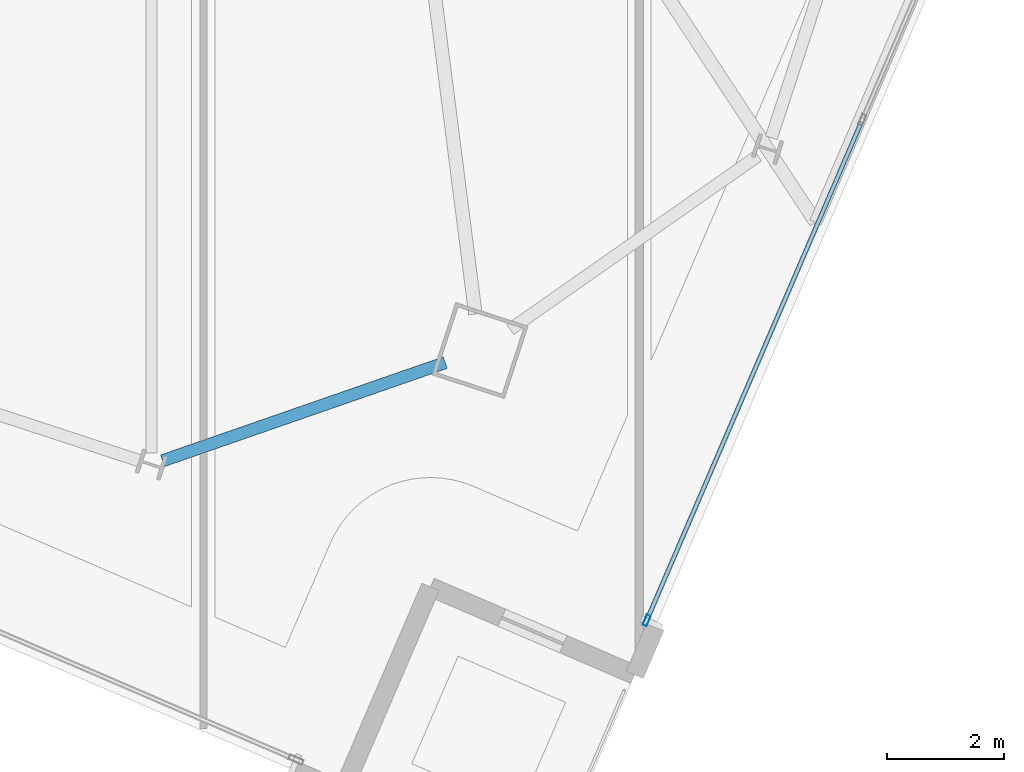
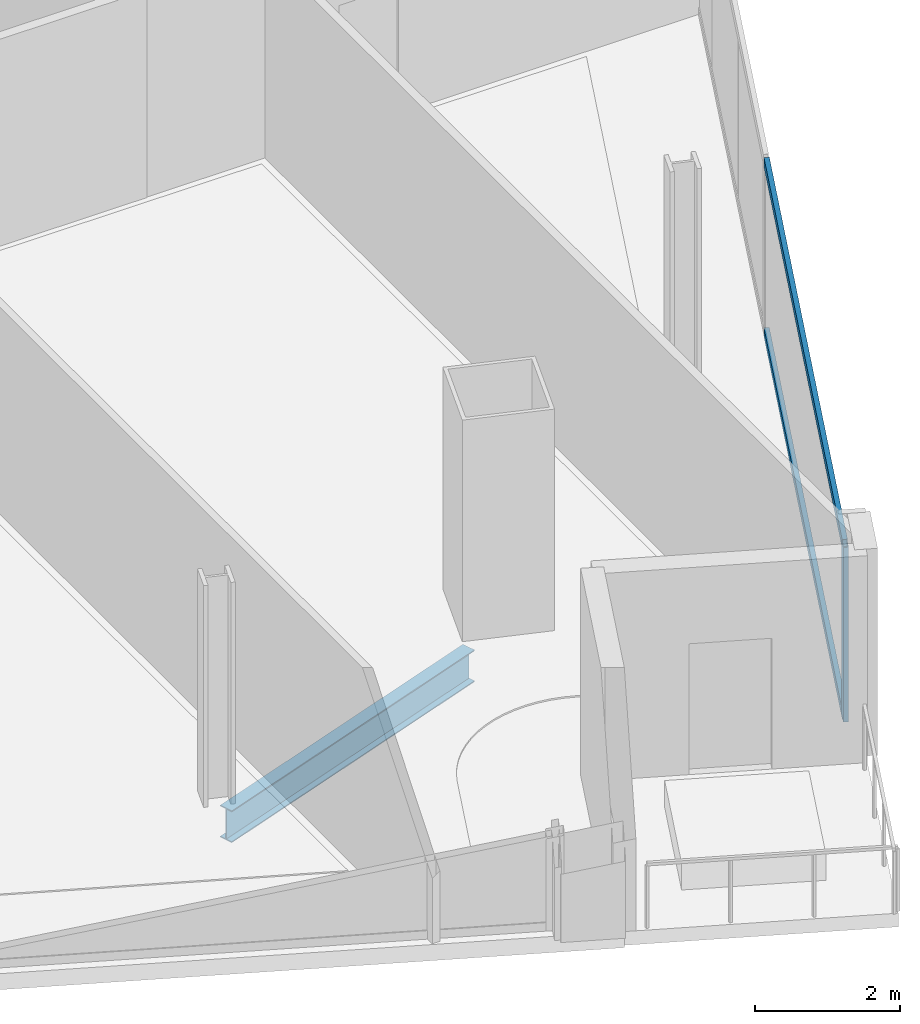
# One storey, part 8 of 28: 3 members, 1 beam, 1 element without a shape of its own.
"""IFC4 building model written with IfcOpenShell, lengths in metres."""

import ifcopenshell
import ifcopenshell.guid

model = None  # the IFC model being written
_history = None  # IfcOwnerHistory: only IFC2X3 demands one
_inside = {}  # id of a spatial element -> (the spatial element, [elements in it])
_under = {}  # id of a project, library or spatial element -> (it, [spatial elements below it])
_declared = {}  # id of a project -> (the project, [libraries it declares])
_typed = {}  # id of a type object -> (the type object, [elements of that type])
_made_of = {}  # id of a material, layer set ... -> (it, [elements and type objects made of it])


def new_model(schema):
    """Start an empty IFC model of exactly this schema.

    Asked for "IFC4X3", IfcOpenShell would pick the latest addendum, in which some entities
    have other attributes; the version numbers below select the first issue.
    IFC2X3 requires an IfcOwnerHistory on every rooted entity: one is made here for all.
    """
    global model, _history
    if schema == "IFC4X3":
        model = ifcopenshell.file(schema_version=(4, 3, 0, 0))
    else:
        model = ifcopenshell.file(schema=schema)
    _inside.clear()
    _under.clear()
    _declared.clear()
    _typed.clear()
    _made_of.clear()
    _history = None
    if model.schema == "IFC2X3":
        org = make("IfcOrganization", Name="unknown")
        user = make(
            "IfcPersonAndOrganization",
            ThePerson=make("IfcPerson", FamilyName="unknown"),
            TheOrganization=org,
        )
        app = make(
            "IfcApplication",
            ApplicationDeveloper=org,
            Version="unknown",
            ApplicationFullName="unknown",
            ApplicationIdentifier="unknown",
        )
        _history = make(
            "IfcOwnerHistory",
            OwningUser=user,
            OwningApplication=app,
            ChangeAction="ADDED",
            CreationDate=0,
        )
    return model


def make(cls, **values):
    """One entity of the class cls with the attributes given. An attribute that is None is left unset."""
    return model.create_entity(
        cls, **{name: value for name, value in values.items() if value is not None}
    )


def rooted(cls, **values):
    """An entity with a GlobalId (a new one), such as an element, a storey or a relation."""
    return make(cls, GlobalId=ifcopenshell.guid.new(), OwnerHistory=_history, **values)


def si_unit(unit_type, name, prefix=None):
    """IfcSIUnit, for example si_unit("LENGTHUNIT", "METRE", prefix="MILLI")."""
    return make("IfcSIUnit", UnitType=unit_type, Prefix=prefix, Name=name)


def assignment(units):
    """IfcUnitAssignment: the units of a project."""
    return None if units is None else make("IfcUnitAssignment", Units=units)


def point(xyz):
    """IfcCartesianPoint."""
    return None if xyz is None else make("IfcCartesianPoint", Coordinates=xyz)


def direction(xyz):
    """IfcDirection."""
    return None if xyz is None else make("IfcDirection", DirectionRatios=xyz)


def frame(location, z_axis=None, x_axis=None):
    """IfcAxis2Placement3D, a coordinate frame: its origin and axes. An axis left out is left unset."""
    return make(
        "IfcAxis2Placement3D",
        Location=point(location),
        Axis=direction(z_axis),
        RefDirection=direction(x_axis),
    )


def frame_2d(location, x_axis=None):
    """IfcAxis2Placement2D, a coordinate frame in the plane: its origin and x axis."""
    return make(
        "IfcAxis2Placement2D", Location=point(location), RefDirection=direction(x_axis)
    )


def origin():
    """The frame at (0, 0, 0) with its axes left unset."""
    return frame((0.0, 0.0, 0.0))


def origin_2d():
    """The frame at (0, 0) in the plane with its x axis left unset."""
    return frame_2d((0.0, 0.0))


def place(relative_to, where):
    """IfcLocalPlacement: puts the frame where relative to a parent placement (None: the world)."""
    return make(
        "IfcLocalPlacement", PlacementRelTo=relative_to, RelativePlacement=where
    )


def context(
    kind, dimensions, precision=None, world=None, true_north=None, identifier=None
):
    """IfcGeometricRepresentationContext, for example the 3D "Model" context."""
    return make(
        "IfcGeometricRepresentationContext",
        ContextIdentifier=identifier,
        ContextType=kind,
        CoordinateSpaceDimension=dimensions,
        Precision=precision,
        WorldCoordinateSystem=world,
        TrueNorth=true_north,
    )


def subcontext(parent, identifier, kind, view, scale=None):
    """IfcGeometricRepresentationSubContext, for example "Body" below "Model"."""
    return make(
        "IfcGeometricRepresentationSubContext",
        ContextIdentifier=identifier,
        ContextType=kind,
        ParentContext=parent,
        TargetScale=scale,
        TargetView=view,
    )


def project(units=None, contexts=None):
    """IfcProject with its units and contexts."""
    return rooted(
        "IfcProject",
        Name="project",
        RepresentationContexts=contexts,
        UnitsInContext=assignment(units),
    )


def spatial(cls, under=None, at=None, **own):
    """A site, building, storey or space (cls), placed at a placement, below another one or the project."""
    s = rooted(cls, ObjectPlacement=at, **own)
    if under is not None:
        _under.setdefault(under.id(), (under, []))[1].append(s)
    return s


def profile(cls, at=None, kind="AREA", **sizes):
    """A parametric profile (cls). Its sizes go by their IFC names, for example OverallWidth=200.0."""
    return make(cls, ProfileType=kind, Position=at, **sizes)


def hollow_rectangle(**sizes):
    """IfcRectangleHollowProfileDef."""
    return profile("IfcRectangleHollowProfileDef", **sizes)


def i_section(**sizes):
    """IfcIShapeProfileDef."""
    return profile("IfcIShapeProfileDef", **sizes)


def extrude(swept, where, along, depth):
    """IfcExtrudedAreaSolid: the profile swept, set in the frame where, extruded along a direction by depth."""
    return make(
        "IfcExtrudedAreaSolid",
        SweptArea=swept,
        Position=where,
        ExtrudedDirection=direction(along),
        Depth=depth,
    )


def shape(context_of_items, identifier, shape_type, items):
    """IfcShapeRepresentation: the items that make up one representation, for example the "Body"."""
    return make(
        "IfcShapeRepresentation",
        ContextOfItems=context_of_items,
        RepresentationIdentifier=identifier,
        RepresentationType=shape_type,
        Items=items,
    )


def material(Name=None, Category=None):
    """IfcMaterial."""
    return make("IfcMaterial", Name=Name, Category=Category)


def material_profile(
    of_material, cross_section, Name=None, Category=None, Priority=None
):
    """IfcMaterialProfile: a cross section and its material."""
    return make(
        "IfcMaterialProfile",
        Name=Name,
        Material=of_material,
        Profile=cross_section,
        Priority=Priority,
        Category=Category,
    )


def profile_set(profiles, Name=None, composite=None):
    """IfcMaterialProfileSet."""
    return make(
        "IfcMaterialProfileSet",
        Name=Name,
        MaterialProfiles=profiles,
        CompositeProfile=composite,
    )


def made_of(thing, what):
    """Note that an element or type object is made of a material, layer set ...; save() writes the relation."""
    if what is not None:
        _made_of.setdefault(what.id(), (what, []))[1].append(thing)
    return thing


def type_object(cls, material=None, **own):
    """A type object (cls), such as IfcWallType, which elements share."""
    return made_of(rooted(cls, **own), material)


def element(
    cls,
    number,
    at=None,
    inside=None,
    cuts=None,
    type_object=None,
    material=None,
    context=None,
    identifier="Body",
    shape_type=None,
    held_by="IfcProductDefinitionShape",
    body=None,
    shapes=None,
    **own,
):
    """One element of the class cls, such as IfcWall. Its Tag is "e" and its number.

    at: its placement. inside: the storey or other place that contains it. cuts: it is an
    opening in that element (IfcRelVoidsElement). A single representation is given by context,
    identifier, shape_type and body (its items); several are given by shapes. held_by: the class
    of the entity that holds the representations. save() writes the other relations.
    """
    e = rooted(cls, Tag="e%d" % number, ObjectPlacement=at, **own)
    if body is not None:
        shapes = [shape(context, identifier, shape_type, body)]
    if shapes is not None:
        e.Representation = make(held_by, Representations=shapes)
    if inside is not None:
        _inside.setdefault(inside.id(), (inside, []))[1].append(e)
    if cuts is not None:
        rooted(
            "IfcRelVoidsElement", RelatingBuildingElement=cuts, RelatedOpeningElement=e
        )
    if type_object is not None:
        _typed.setdefault(type_object.id(), (type_object, []))[1].append(e)
    return made_of(e, material)


def aggregate(whole, parts):
    """IfcRelAggregates: a whole, such as a stair, and the parts it consists of."""
    return rooted("IfcRelAggregates", RelatingObject=whole, RelatedObjects=parts)


def save(model, path):
    """Write the relations noted so far, then the file.

    IfcRelAggregates (storeys below a building ...), IfcRelContainedInSpatialStructure (elements
    in a storey), IfcRelDefinesByType, IfcRelAssociatesMaterial and IfcRelDeclares: one each for
    every whole, place, type object, material and project.
    """
    for whole, parts in _under.values():
        aggregate(whole, parts)
    for where, things in _inside.values():
        rooted(
            "IfcRelContainedInSpatialStructure",
            RelatedElements=things,
            RelatingStructure=where,
        )
    for kind, things in _typed.values():
        rooted("IfcRelDefinesByType", RelatedObjects=things, RelatingType=kind)
    for what, things in _made_of.values():
        rooted("IfcRelAssociatesMaterial", RelatedObjects=things, RelatingMaterial=what)
    for by, libraries in _declared.values():
        rooted("IfcRelDeclares", RelatingContext=by, RelatedDefinitions=libraries)
    model.write(path)


model = new_model("IFC4")

# Units and contexts
model_context = context("Model", 3, precision=1e-05, world=origin(), true_north=direction((0.0, 1.0)))
body_context = subcontext(model_context, "Body", "Model", "MODEL_VIEW")
ifc_project = project(units=[si_unit("LENGTHUNIT", "METRE"), si_unit("AREAUNIT", "SQUARE_METRE"), si_unit("VOLUMEUNIT", "CUBIC_METRE"), si_unit("PLANEANGLEUNIT", "RADIAN"), si_unit("MASSUNIT", "GRAM", prefix="KILO")], contexts=[model_context])

# Site, building, storey
site_placement = place(None, origin())
site = spatial("IfcSite", under=ifc_project, at=site_placement, CompositionType="ELEMENT")
building_placement = place(site_placement, origin())
building = spatial("IfcBuilding", under=site, at=building_placement, Name="Haldenkirk Collegiate Tower", CompositionType="ELEMENT")
storey_placement = place(building_placement, frame((0.0, 0.0, 252.449951171875)))
storey = spatial("IfcBuildingStorey", under=building, at=storey_placement, Name="L63", CompositionType="ELEMENT", Elevation=252.449951171875)

# Beam
ifc_material_1 = material(Name="Steel ASTM A992 Grade 50", Category="steel")
ifc_material_profile_1 = material_profile(ifc_material_1, i_section(OverallWidth=0.2099609375, OverallDepth=0.537109375, WebThickness=0.010986328125, FlangeThickness=0.017333984375, at=origin_2d()), Name="W21X68")
ifc_profile_set_1 = profile_set([ifc_material_profile_1], Name="Steel ASTM A992 Grade 50")
beam_type = type_object("IfcBeamType", Name="BM-SPANDREL-W21X68", PredefinedType="SPANDREL", material=ifc_profile_set_1)
beam_placement = place(storey_placement, frame((41.302490234375, 2.56103515625, -0.538330078125), z_axis=(0.944700169719, 0.327935343221, 0.0), x_axis=(-0.327935343221, 0.944700169719, 0.0)))
element("IfcBeam", 1, at=beam_placement, inside=storey, type_object=beam_type, Name="L63 perimeter spandrel beam 16", PredefinedType="SPANDREL", context=body_context, shape_type="SweptSolid", body=[
    extrude(i_section(OverallWidth=0.2099609375, OverallDepth=0.537109375, WebThickness=0.010986328125, FlangeThickness=0.017333984375, at=origin_2d()), origin(), (0.0, 0.0, 1.0), 5.113037109375),
])

# Curtain wall, members
ifc_material_2 = material(Name="Anodised architectural bronze aluminium", Category="aluminium")
curtain_wall_type = type_object("IfcCurtainWallType", Name="CW-SYS2-CONCAVE", PredefinedType="USERDEFINED", material=ifc_material_2)
curtain_wall_placement = place(storey_placement, origin())
curtain_wall = element("IfcCurtainWall", 2, at=curtain_wall_placement, inside=storey, type_object=curtain_wall_type, Name="L63 South concave recessed bronze-anodised curtain wall", ObjectType="UNITISED CURTAIN WALL", PredefinedType="USERDEFINED")
ifc_material_profile_2 = material_profile(ifc_material_2, hollow_rectangle(XDim=0.074951171875, YDim=0.18994140625, WallThickness=0.0048828125, at=origin_2d()), Name="CW-MUL-02")
ifc_profile_set_2 = profile_set([ifc_material_profile_2], Name="Anodised architectural bronze aluminium")
member_type_1 = type_object("IfcMemberType", Name="CW-MUL-02", PredefinedType="MULLION", material=ifc_profile_set_2)
member_1_placement = place(storey_placement, frame((49.5771484375, -0.166748046875, 0.0), z_axis=(0.0, 0.0, 1.0), x_axis=(0.918446421115, -0.395545410215, 0.0)))
member_1 = element("IfcMember", 3, at=member_1_placement, type_object=member_type_1, Name="CW-02 mullion 5", PredefinedType="MULLION", context=body_context, shape_type="SweptSolid", body=[
    extrude(hollow_rectangle(XDim=0.074951171875, YDim=0.18994140625, WallThickness=0.0048828125, at=origin_2d()), origin(), (0.0, 0.0, 1.0), 2.93798828125),
])
ifc_material_profile_3 = material_profile(ifc_material_2, hollow_rectangle(XDim=0.074951171875, YDim=0.159912109375, WallThickness=0.0048828125, at=origin_2d()), Name="CW-TRN-02")
ifc_profile_set_3 = profile_set([ifc_material_profile_3], Name="Anodised architectural bronze aluminium")
member_type_2 = type_object("IfcMemberType", Name="CW-TRN-02", PredefinedType="USERDEFINED", material=ifc_profile_set_3)
member_2_placement = place(storey_placement, frame((53.245849609375, 8.351806640625, 0.03759765625), z_axis=(-0.395542268869, -0.918447773985, 0.0), x_axis=(0.918447773985, -0.395542268869, 0.0)))
member_2 = element("IfcMember", 4, at=member_2_placement, type_object=member_type_2, Name="CW-02 transom 4.1", ObjectType="TRANSOM", PredefinedType="USERDEFINED", context=body_context, shape_type="SweptSolid", body=[
    extrude(hollow_rectangle(XDim=0.074951171875, YDim=0.159912109375, WallThickness=0.0048828125, at=origin_2d()), origin(), (0.0, 0.0, 1.0), 9.237548828125),
])
member_3_placement = place(storey_placement, frame((53.245849609375, 8.351806640625, 2.900634765625), z_axis=(-0.395542268869, -0.918447773985, 0.0), x_axis=(0.918447773985, -0.395542268869, 0.0)))
member_3 = element("IfcMember", 5, at=member_3_placement, type_object=member_type_2, Name="CW-02 transom 4.2", ObjectType="TRANSOM", PredefinedType="USERDEFINED", context=body_context, shape_type="SweptSolid", body=[
    extrude(hollow_rectangle(XDim=0.074951171875, YDim=0.159912109375, WallThickness=0.0048828125, at=origin_2d()), origin(), (0.0, 0.0, 1.0), 9.237548828125),
])
aggregate(curtain_wall, [member_1, member_2, member_3])

save(model, "model.ifc")
